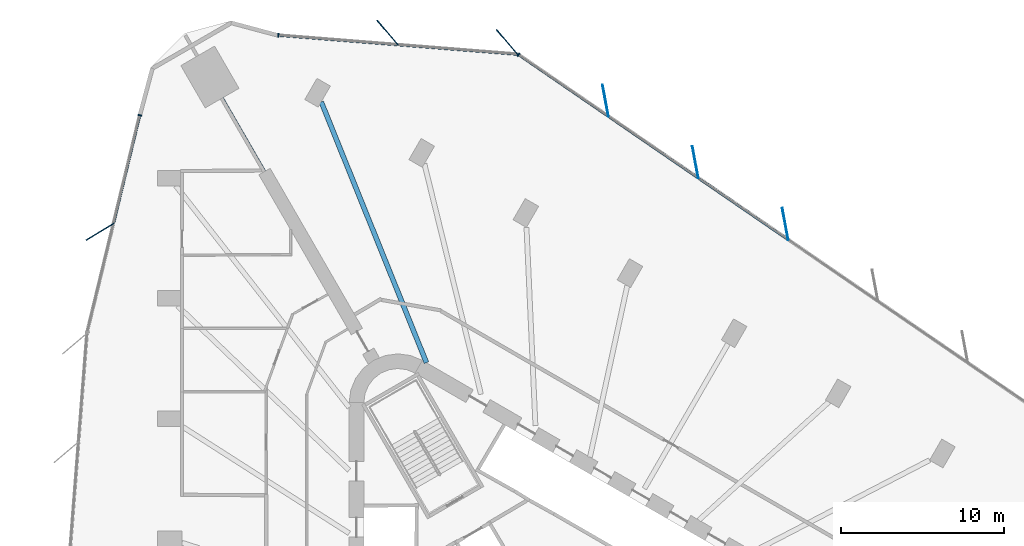
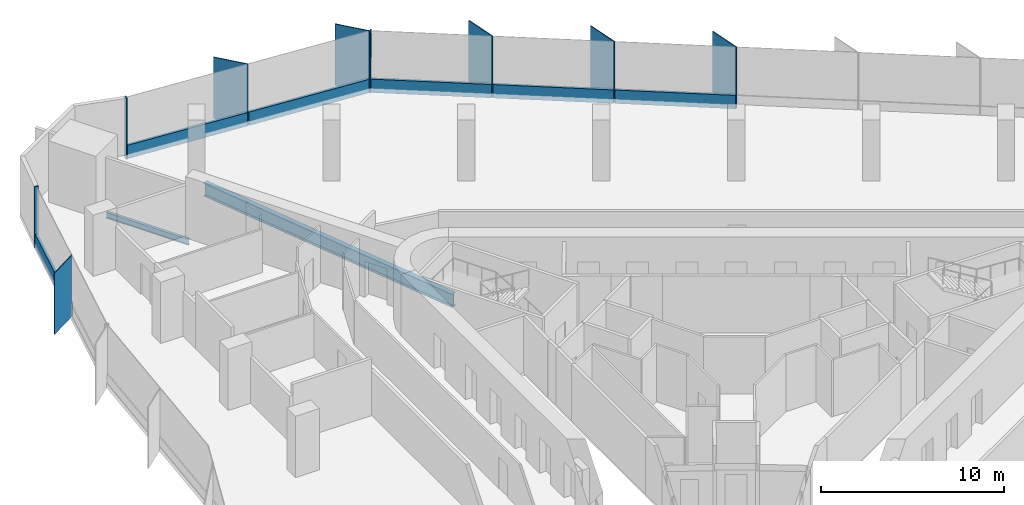
# One storey, part 7 of 14: 15 members, 2 beams, 3 elements without a shape of their own.
"""IFC4 building model written with IfcOpenShell, lengths in metres."""

from ifc_helpers import new_model, si_unit, direction, frame, origin, origin_2d, place, context, subcontext, project, spatial, rectangle, i_section, extrude, material, material_profile, profile_set, type_object, element, aggregate, save


model = new_model("IFC4")

# Units and contexts
model_context = context("Model", 3, precision=1e-05, world=origin(), true_north=direction((0.0, 1.0)))
body_context = subcontext(model_context, "Body", "Model", "MODEL_VIEW")
ifc_project = project(units=[si_unit("LENGTHUNIT", "METRE"), si_unit("AREAUNIT", "SQUARE_METRE"), si_unit("VOLUMEUNIT", "CUBIC_METRE"), si_unit("PLANEANGLEUNIT", "RADIAN"), si_unit("MASSUNIT", "GRAM", prefix="KILO")], contexts=[model_context])

# Site, building, storey
site_placement = place(None, origin())
site = spatial("IfcSite", under=ifc_project, at=site_placement, CompositionType="ELEMENT")
building_placement = place(site_placement, origin())
building = spatial("IfcBuilding", under=site, at=building_placement, Name="Tanit Gate Tower", CompositionType="ELEMENT")
storey_placement = place(building_placement, frame((0.0, 0.0, 90.60009765625)))
storey = spatial("IfcBuildingStorey", under=building, at=storey_placement, Name="L18", CompositionType="ELEMENT", Elevation=90.60009765625)

# Curtain wall, members
ifc_material_1 = material(Name="Aluminium bronze anodised and glass", Category="aluminium")
curtain_wall_type = type_object("IfcCurtainWallType", Name="Curtain wall typical low", PredefinedType="NOTDEFINED", material=ifc_material_1)
curtain_wall_1_placement = place(storey_placement, origin())
curtain_wall_1 = element("IfcCurtainWall", 1, at=curtain_wall_1_placement, inside=storey, type_object=curtain_wall_type, Name="Curtain wall L18 NE2", PredefinedType="NOTDEFINED")
ifc_material_2 = material(Name="Aluminium bronze anodised", Category="aluminium")
ifc_material_profile_1 = material_profile(ifc_material_2, rectangle(XDim=2.0, YDim=0.055908203125, at=origin_2d()), Name="56x2000 bronze fin mullion")
ifc_profile_set_1 = profile_set([ifc_material_profile_1], Name="Aluminium bronze anodised")
member_type_1 = type_object("IfcMemberType", Name="FIN MULLION 56x2000 bronze", PredefinedType="MULLION", material=ifc_profile_set_1)
member_1_placement = place(storey_placement, frame((14.70849609375, 26.742919921875, -0.300048828125), z_axis=(0.0, 0.0, 1.0), x_axis=(0.182983013261, -0.983116074967, 0.0)))
member_1 = element("IfcMember", 2, at=member_1_placement, type_object=member_type_1, Name="Fin mullion L18 NE2.4", PredefinedType="MULLION", context=body_context, shape_type="SweptSolid", body=[
    extrude(rectangle(XDim=2.0, YDim=0.055908203125, at=origin_2d()), origin(), (0.0, 0.0, 1.0), 4.099853515625),
])
member_2_placement = place(storey_placement, frame((9.183837890625, 30.53369140625, -0.300048828125), z_axis=(0.0, 0.0, 1.0), x_axis=(0.182983013261, -0.983116074967, 0.0)))
member_2 = element("IfcMember", 3, at=member_2_placement, type_object=member_type_1, Name="Fin mullion L18 NE2.5", PredefinedType="MULLION", context=body_context, shape_type="SweptSolid", body=[
    extrude(rectangle(XDim=2.0, YDim=0.055908203125, at=origin_2d()), origin(), (0.0, 0.0, 1.0), 4.099853515625),
])
member_3_placement = place(storey_placement, frame((3.6591796875, 34.324462890625, -0.300048828125), z_axis=(0.0, 0.0, 1.0), x_axis=(0.182983013261, -0.983116074967, 0.0)))
member_3 = element("IfcMember", 4, at=member_3_placement, type_object=member_type_1, Name="Fin mullion L18 NE2.6", PredefinedType="MULLION", context=body_context, shape_type="SweptSolid", body=[
    extrude(rectangle(XDim=2.0, YDim=0.055908203125, at=origin_2d()), origin(), (0.0, 0.0, 1.0), 4.099853515625),
])

curtain_wall_2_placement = place(storey_placement, origin())
curtain_wall_2 = element("IfcCurtainWall", 5, at=curtain_wall_2_placement, inside=storey, type_object=curtain_wall_type, Name="Curtain wall L18 NE3", PredefinedType="NOTDEFINED")
member_4_placement = place(storey_placement, frame((-2.393798828125, 37.923828125, -0.300048828125), z_axis=(0.0, 0.0, 1.0), x_axis=(0.649001123073, -0.760787448799, 0.0)))
member_4 = element("IfcMember", 6, at=member_4_placement, type_object=member_type_1, Name="Fin mullion L18 NE3.1", PredefinedType="MULLION", context=body_context, shape_type="SweptSolid", body=[
    extrude(rectangle(XDim=2.0, YDim=0.055908203125, at=origin_2d()), origin(), (0.0, 0.0, 1.0), 4.099853515625),
])
member_5_placement = place(storey_placement, frame((-9.7412109375, 38.506591796875, -0.300048828125), z_axis=(0.0, 0.0, 1.0), x_axis=(0.649001123073, -0.760787448799, 0.0)))
member_5 = element("IfcMember", 7, at=member_5_placement, type_object=member_type_1, Name="Fin mullion L18 NE3.2", PredefinedType="MULLION", context=body_context, shape_type="SweptSolid", body=[
    extrude(rectangle(XDim=2.0, YDim=0.055908203125, at=origin_2d()), origin(), (0.0, 0.0, 1.0), 4.099853515625),
])

# Curtain wall, member
curtain_wall_3_placement = place(storey_placement, origin())
curtain_wall_3 = element("IfcCurtainWall", 8, at=curtain_wall_3_placement, inside=storey, type_object=curtain_wall_type, Name="Curtain wall L18 W1", PredefinedType="NOTDEFINED")
member_6_placement = place(storey_placement, frame((-27.418212890625, 26.267333984375, -0.300048828125), z_axis=(0.0, 0.0, 1.0), x_axis=(0.853805958706, 0.520591379951, 0.0)))
member_6 = element("IfcMember", 9, at=member_6_placement, type_object=member_type_1, Name="Fin mullion L18 W1.2", PredefinedType="MULLION", context=body_context, shape_type="SweptSolid", body=[
    extrude(rectangle(XDim=2.0, YDim=0.055908203125, at=origin_2d()), origin(), (0.0, 0.0, 1.0), 4.099853515625),
])

# Member
ifc_material_3 = material(Name="Aluminium bronze anodised", Category="aluminium")
ifc_material_profile_2 = material_profile(ifc_material_3, rectangle(XDim=0.239990234375, YDim=0.080078125, at=origin_2d()), Name="80x240 bronze mullion")
ifc_profile_set_2 = profile_set([ifc_material_profile_2], Name="Aluminium bronze anodised")
member_type_2 = type_object("IfcMemberType", Name="Mullion 80x240 typical low", PredefinedType="MULLION", material=ifc_profile_set_2)
member_7_placement = place(storey_placement, frame((-1.6865234375, 37.154541015625, -0.300048828125), z_axis=(0.0, 0.0, 1.0), x_axis=(-0.565779513784, -0.824556572821, 0.0)))
member_7 = element("IfcMember", 10, at=member_7_placement, type_object=member_type_2, Name="Mullion L18 NE2.7", PredefinedType="MULLION", context=body_context, shape_type="SweptSolid", body=[
    extrude(rectangle(XDim=0.239990234375, YDim=0.080078125, at=origin_2d()), origin(), (0.0, 0.0, 1.0), 4.099853515625),
])

member_8_placement = place(storey_placement, frame((-16.45458984375, 38.345458984375, -0.300048828125), z_axis=(0.0, 0.0, 1.0), x_axis=(-0.079044868964, -0.99687105921, 0.0)))
member_8 = element("IfcMember", 11, at=member_8_placement, type_object=member_type_2, Name="Mullion L18 NE3.3", PredefinedType="MULLION", context=body_context, shape_type="SweptSolid", body=[
    extrude(rectangle(XDim=0.239990234375, YDim=0.080078125, at=origin_2d()), origin(), (0.0, 0.0, 1.0), 4.099853515625),
])

member_9_placement = place(storey_placement, frame((-24.969970703125, 33.43212890625, -0.300048828125), z_axis=(0.0, 0.0, 1.0), x_axis=(0.971845678209, -0.235618288228, 0.0)))
member_9 = element("IfcMember", 12, at=member_9_placement, type_object=member_type_2, Name="Mullion L18 W1.1", PredefinedType="MULLION", context=body_context, shape_type="SweptSolid", body=[
    extrude(rectangle(XDim=0.239990234375, YDim=0.080078125, at=origin_2d()), origin(), (0.0, 0.0, 1.0), 4.099853515625),
])

# Beams
ifc_material_4 = material(Name="Steel S355", Category="steel")
ifc_material_profile_3 = material_profile(ifc_material_4, i_section(OverallWidth=0.300048828125, OverallDepth=0.889892578125, WebThickness=0.01611328125, FlangeThickness=0.030029296875, FilletRadius=0.030029296875, at=origin_2d()), Name="HEA 900")
ifc_profile_set_3 = profile_set([ifc_material_profile_3], Name="Steel S355")
beam_type_1 = type_object("IfcBeamType", Name="RADIAL GIRDER HEA 900 S355", PredefinedType="BEAM", material=ifc_profile_set_3)
beam_1_placement = place(storey_placement, frame((-13.815673828125, 34.251953125, -0.7451171875), z_axis=(0.374069410217, -0.927400709693, 0.0), x_axis=(0.927400709693, 0.374069410217, 0.0)))
element("IfcBeam", 13, at=beam_1_placement, inside=storey, type_object=beam_type_1, Name="RADIAL GIRDER", PredefinedType="BEAM", context=body_context, shape_type="SweptSolid", body=[
    extrude(i_section(OverallWidth=0.300048828125, OverallDepth=0.889892578125, WebThickness=0.01611328125, FlangeThickness=0.030029296875, FilletRadius=0.030029296875, at=origin_2d()), origin(), (0.0, 0.0, 1.0), 17.291015625),
])
ifc_material_5 = material(Name="Steel S355", Category="steel")
ifc_material_profile_4 = material_profile(ifc_material_5, i_section(OverallWidth=0.179931640625, OverallDepth=0.39990234375, WebThickness=0.008544921875, FlangeThickness=0.013427734375, FilletRadius=0.02099609375, at=origin_2d()), Name="IPE 400")
ifc_profile_set_4 = profile_set([ifc_material_profile_4], Name="Steel S355")
beam_type_2 = type_object("IfcBeamType", Name="RADIAL GIRDER IPE 400 S355", PredefinedType="BEAM", material=ifc_profile_set_4)
beam_2_placement = place(storey_placement, frame((-19.9091796875, 34.483642578125, -0.5), z_axis=(0.500022437694, -0.866012448988, 0.0), x_axis=(0.866012448988, 0.500022437694, 0.0)))
element("IfcBeam", 14, at=beam_2_placement, inside=storey, type_object=beam_type_2, Name="RADIAL GIRDER", PredefinedType="BEAM", context=body_context, shape_type="SweptSolid", body=[
    extrude(i_section(OverallWidth=0.179931640625, OverallDepth=0.39990234375, WebThickness=0.008544921875, FlangeThickness=0.013427734375, FilletRadius=0.02099609375, at=origin_2d()), origin(), (0.0, 0.0, 1.0), 5.213134765625),
])

# Member
ifc_material_6 = material(Name="Aluminium bronze anodised", Category="aluminium")
ifc_material_profile_5 = material_profile(ifc_material_6, rectangle(XDim=0.159912109375, YDim=0.89990234375, at=origin_2d()), Name="160x900 bronze transom")
ifc_profile_set_5 = profile_set([ifc_material_profile_5], Name="Aluminium bronze anodised")
member_type_3 = type_object("IfcMemberType", Name="Transom 160x900 typical low", PredefinedType="USERDEFINED", material=ifc_profile_set_5)
member_10_placement = place(storey_placement, frame((14.8544921875, 25.8046875, 0.14990234375), z_axis=(-0.824554845388, 0.565782031305, 0.0), x_axis=(-0.565782031305, -0.824554845388, 0.0)))
member_10 = element("IfcMember", 15, at=member_10_placement, type_object=member_type_3, Name="Transom L18 NE2.4", ObjectType="TRANSOM", PredefinedType="USERDEFINED", context=body_context, shape_type="SweptSolid", body=[
    extrude(rectangle(XDim=0.159912109375, YDim=0.89990234375, at=origin_2d()), origin(), (0.0, 0.0, 1.0), 6.6201171875),
])

member_11_placement = place(storey_placement, frame((9.329833984375, 29.595458984375, 0.14990234375), z_axis=(-0.824554845388, 0.565782031305, 0.0), x_axis=(-0.565782031305, -0.824554845388, 0.0)))
member_11 = element("IfcMember", 16, at=member_11_placement, type_object=member_type_3, Name="Transom L18 NE2.5", ObjectType="TRANSOM", PredefinedType="USERDEFINED", context=body_context, shape_type="SweptSolid", body=[
    extrude(rectangle(XDim=0.159912109375, YDim=0.89990234375, at=origin_2d()), origin(), (0.0, 0.0, 1.0), 6.6201171875),
])

member_12_placement = place(storey_placement, frame((3.80517578125, 33.38623046875, 0.14990234375), z_axis=(-0.824554845388, 0.565782031305, 0.0), x_axis=(-0.565782031305, -0.824554845388, 0.0)))
member_12 = element("IfcMember", 17, at=member_12_placement, type_object=member_type_3, Name="Transom L18 NE2.6", ObjectType="TRANSOM", PredefinedType="USERDEFINED", context=body_context, shape_type="SweptSolid", body=[
    extrude(rectangle(XDim=0.159912109375, YDim=0.89990234375, at=origin_2d()), origin(), (0.0, 0.0, 1.0), 6.6201171875),
])

aggregate(curtain_wall_1, [member_1, member_2, member_3, member_7, member_10, member_11, member_12])

member_13_placement = place(storey_placement, frame((-1.79931640625, 37.183349609375, 0.14990234375), z_axis=(-0.996869667106, 0.079062423462, 0.0), x_axis=(-0.079062423462, -0.996869667106, 0.0)))
member_13 = element("IfcMember", 18, at=member_13_placement, type_object=member_type_3, Name="Transom L18 NE3.1", ObjectType="TRANSOM", PredefinedType="USERDEFINED", context=body_context, shape_type="SweptSolid", body=[
    extrude(rectangle(XDim=0.159912109375, YDim=0.89990234375, at=origin_2d()), origin(), (0.0, 0.0, 1.0), 7.29052734375),
])

member_14_placement = place(storey_placement, frame((-9.146728515625, 37.76611328125, 0.14990234375), z_axis=(-0.996872514956, 0.079026507736, 0.0), x_axis=(-0.079026507736, -0.996872514956, 0.0)))
member_14 = element("IfcMember", 19, at=member_14_placement, type_object=member_type_3, Name="Transom L18 NE3.2", ObjectType="TRANSOM", PredefinedType="USERDEFINED", context=body_context, shape_type="SweptSolid", body=[
    extrude(rectangle(XDim=0.159912109375, YDim=0.89990234375, at=origin_2d()), origin(), (0.0, 0.0, 1.0), 7.290771484375),
])

aggregate(curtain_wall_2, [member_4, member_5, member_8, member_13, member_14])

member_15_placement = place(storey_placement, frame((-24.979248046875, 33.39306640625, 0.14990234375), z_axis=(-0.235638221576, -0.971840845269, 0.0), x_axis=(0.971840845269, -0.235638221576, 0.0)))
member_15 = element("IfcMember", 20, at=member_15_placement, type_object=member_type_3, Name="Transom L18 W1.1", ObjectType="TRANSOM", PredefinedType="USERDEFINED", context=body_context, shape_type="SweptSolid", body=[
    extrude(rectangle(XDim=0.159912109375, YDim=0.89990234375, at=origin_2d()), origin(), (0.0, 0.0, 1.0), 6.768798828125),
])

aggregate(curtain_wall_3, [member_9, member_6, member_15])

save(model, "model.ifc")
